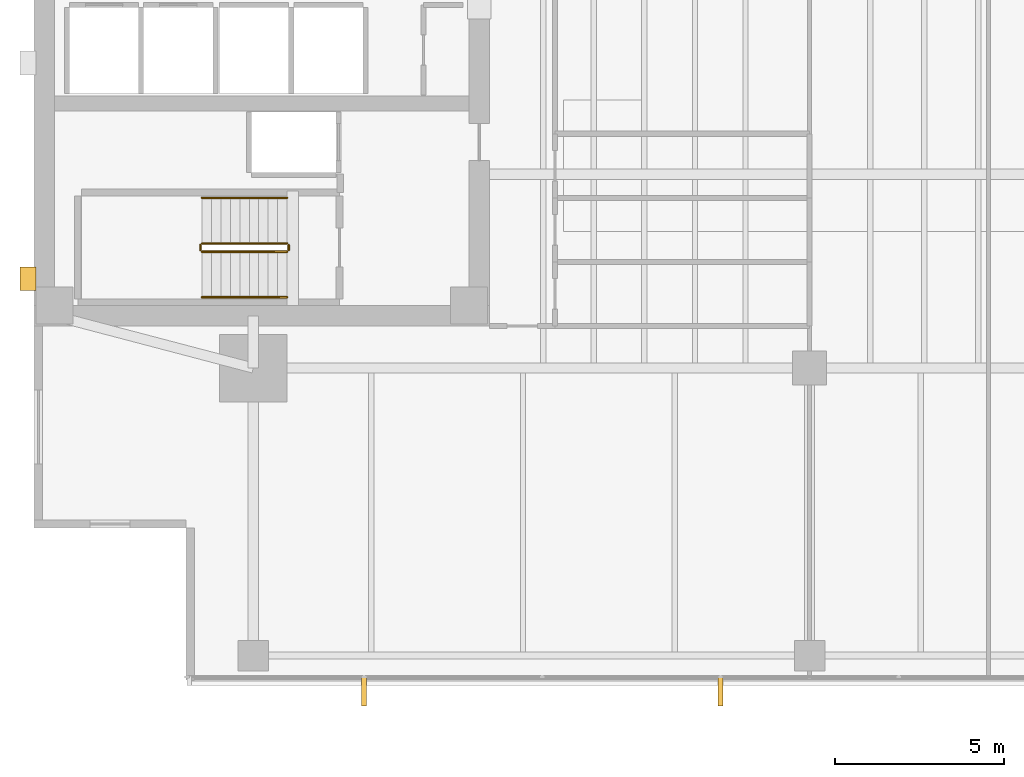
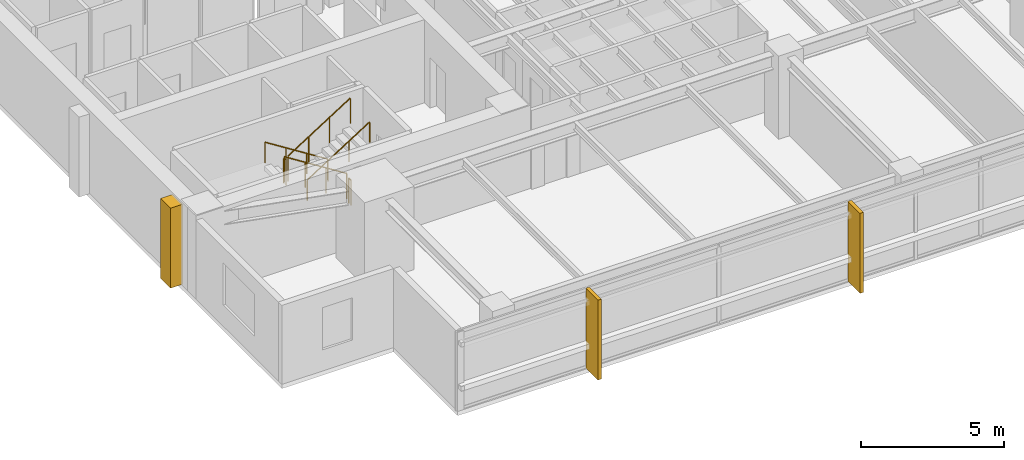
# One storey, part 11 of 14: 6 railings, 3 coverings.
"""IFC4 building model written with IfcOpenShell, lengths in metres."""

from ifc_helpers import new_model, si_unit, direction, frame, origin, origin_2d, place, context, subcontext, project, spatial, polyline, circle, outline, extrude, material, layer, layer_set, type_object, element, save


model = new_model("IFC4")

# Units and contexts
model_context = context("Model", 3, precision=1e-05, world=origin(), true_north=direction((0.0, 1.0)))
body_context = subcontext(model_context, "Body", "Model", "MODEL_VIEW")
ifc_project = project(units=[si_unit("LENGTHUNIT", "METRE"), si_unit("AREAUNIT", "SQUARE_METRE"), si_unit("VOLUMEUNIT", "CUBIC_METRE"), si_unit("PLANEANGLEUNIT", "RADIAN"), si_unit("MASSUNIT", "GRAM", prefix="KILO")], contexts=[model_context])

# Site, building, storey
site_placement = place(None, origin())
site = spatial("IfcSite", under=ifc_project, at=site_placement, CompositionType="ELEMENT")
building_placement = place(site_placement, origin())
building = spatial("IfcBuilding", under=site, at=building_placement, Name="Kinhvarn Gate Tower", CompositionType="ELEMENT")
storey_placement = place(building_placement, frame((0.0, 0.0, 123.550048828125)))
storey = spatial("IfcBuildingStorey", under=building, at=storey_placement, Name="L32", CompositionType="ELEMENT", Elevation=123.550048828125)

# Coverings
ifc_material_1 = material(Name="Fired architectural terracotta", Category="masonry")
ifc_layer_1 = layer(ifc_material_1, 0.139892578125)
ifc_layer_set_1 = layer_set([ifc_layer_1], Name="Fired architectural terracotta")
covering_type_1 = type_object("IfcCoveringType", Name="COV-FIN-850", PredefinedType="CLADDING", material=ifc_layer_set_1)
covering_1_placement = place(storey_placement, frame((0.0, 0.0, -0.02001953125)))
element("IfcCovering", 1, at=covering_1_placement, inside=storey, type_object=covering_type_1, Name="Vertical Terracotta Expressive Fin TFN-850 (L32)", PredefinedType="CLADDING", context=body_context, shape_type="SweptSolid", body=[
    extrude(outline(polyline([(14.2158203125, 3.580078125), (14.355712890625, 3.580078125), (14.355712890625, 2.72998046875), (14.2158203125, 2.72998046875), (14.2158203125, 3.580078125)])), origin(), (0.0, 0.0, 1.0), 3.409912109375),
])
covering_2_placement = place(storey_placement, frame((0.0, 0.0, -0.02001953125)))
element("IfcCovering", 2, at=covering_2_placement, inside=storey, type_object=covering_type_1, Name="Vertical Terracotta Expressive Fin TFN-850 (L32)", PredefinedType="CLADDING", context=body_context, shape_type="SweptSolid", body=[
    extrude(outline(polyline([(24.787109375, 3.580078125), (24.927001953125, 3.580078125), (24.927001953125, 2.72998046875), (24.787109375, 2.72998046875), (24.787109375, 3.580078125)])), origin(), (0.0, 0.0, 1.0), 3.409912109375),
])
ifc_material_2 = material(Name="Precast white architectural concrete C40/50", Category="concrete")
ifc_layer_2 = layer(ifc_material_2, 0.47998046875)
ifc_layer_set_2 = layer_set([ifc_layer_2], Name="Precast white architectural concrete C40/50")
covering_type_2 = type_object("IfcCoveringType", Name="COV-RIB-450", PredefinedType="CLADDING", material=ifc_layer_set_2)
covering_3_placement = place(storey_placement, frame((0.0, 0.0, -0.02001953125)))
element("IfcCovering", 3, at=covering_3_placement, inside=storey, type_object=covering_type_2, Name="West Core Sculptural Concrete Relief Rib CRB-450 (L32)", PredefinedType="CLADDING", context=body_context, shape_type="SweptSolid", body=[
    extrude(outline(polyline([(4.080078125, 15.050048828125), (4.56005859375, 15.050048828125), (4.56005859375, 15.75), (4.080078125, 15.75), (4.080078125, 15.050048828125)])), origin(), (0.0, 0.0, 1.0), 3.409912109375),
])

# Railings
ifc_material_3 = material(Name="Steel S355", Category="steel")
railing_type_1 = type_object("IfcRailingType", Name="RL-ST-GRD", PredefinedType="BALUSTRADE", material=ifc_material_3)
railing_1_placement = place(storey_placement, frame((12.0, 16.449951171875, 0.177490234375)))
element("IfcRailing", 4, at=railing_1_placement, inside=storey, type_object=railing_type_1, Name="L32 ST1 stair guard 1", PredefinedType="BALUSTRADE", context=body_context, shape_type="SweptSolid", body=[
    extrude(circle(Radius=0.02392578125, at=origin_2d()), frame((0.0, 0.0, 1.076171875), z_axis=(-0.84460694969, 0.0, 0.535386869969), x_axis=(0.0, -1.0, 0.0)), (0.0, 0.0, 1.0), 2.983642578125),
    extrude(circle(Radius=0.02099609375, at=origin_2d()), origin(), (0.0, 0.0, 1.0), 1.052001953125),
    extrude(circle(Radius=0.02099609375, at=origin_2d()), frame((-0.840087890625, 0.0, 0.532470703125)), (0.0, 0.0, 1.0), 1.052001953125),
    extrude(circle(Radius=0.02099609375, at=origin_2d()), frame((-1.679931640625, 0.0, 1.06494140625)), (0.0, 0.0, 1.0), 1.052001953125),
    extrude(circle(Radius=0.02099609375, at=origin_2d()), frame((-2.52001953125, 0.0, 1.597412109375)), (0.0, 0.0, 1.0), 1.052001953125),
])
railing_2_placement = place(storey_placement, frame((9.429931640625, 16.39990234375, 1.77490234375)))
element("IfcRailing", 5, at=railing_2_placement, inside=storey, type_object=railing_type_1, Name="L32 ST1 stair guard 2", PredefinedType="BALUSTRADE", context=body_context, shape_type="SweptSolid", body=[
    extrude(circle(Radius=0.02392578125, at=origin_2d()), frame((0.0, 0.0, 1.076171875), z_axis=(0.0, -1.0, 0.0), x_axis=(1.0, 0.0, 0.0)), (0.0, 0.0, 1.0), 0.14990234375),
    extrude(circle(Radius=0.02099609375, at=origin_2d()), origin(), (0.0, 0.0, 1.0), 1.052001953125),
    extrude(circle(Radius=0.02099609375, at=origin_2d()), frame((0.0, -0.14990234375, 0.0)), (0.0, 0.0, 1.0), 1.052001953125),
])
railing_3_placement = place(storey_placement, frame((9.47998046875, 16.199951171875, 1.952392578125)))
element("IfcRailing", 6, at=railing_3_placement, inside=storey, type_object=railing_type_1, Name="L32 ST1 stair guard 3", PredefinedType="BALUSTRADE", context=body_context, shape_type="SweptSolid", body=[
    extrude(circle(Radius=0.02392578125, at=origin_2d()), frame((0.0, 0.0, 1.076171875), z_axis=(0.84456994832, 0.0, 0.535445237532), x_axis=(0.0, 1.0, 0.0)), (0.0, 0.0, 1.0), 2.98388671875),
    extrude(circle(Radius=0.02099609375, at=origin_2d()), origin(), (0.0, 0.0, 1.0), 1.052001953125),
    extrude(circle(Radius=0.02099609375, at=origin_2d()), frame((0.840087890625, 0.0, 0.532470703125)), (0.0, 0.0, 1.0), 1.052001953125),
    extrude(circle(Radius=0.02099609375, at=origin_2d()), frame((1.679931640625, 0.0, 1.065185546875)), (0.0, 0.0, 1.0), 1.052001953125),
    extrude(circle(Radius=0.02099609375, at=origin_2d()), frame((2.52001953125, 0.0, 1.59765625)), (0.0, 0.0, 1.0), 1.052001953125),
])
railing_4_placement = place(storey_placement, frame((12.050048828125, 16.39990234375, 0.0)))
element("IfcRailing", 7, at=railing_4_placement, inside=storey, type_object=railing_type_1, Name="L32 ST1 stair guard 4", PredefinedType="BALUSTRADE", context=body_context, shape_type="SweptSolid", body=[
    extrude(circle(Radius=0.02392578125, at=origin_2d()), frame((0.0, 0.0, 1.076171875), z_axis=(0.0, -1.0, 0.0), x_axis=(1.0, 0.0, 0.0)), (0.0, 0.0, 1.0), 0.14990234375),
    extrude(circle(Radius=0.02099609375, at=origin_2d()), origin(), (0.0, 0.0, 1.0), 1.052001953125),
    extrude(circle(Radius=0.02099609375, at=origin_2d()), frame((0.0, -0.14990234375, 0.0)), (0.0, 0.0, 1.0), 1.052001953125),
])
railing_type_2 = type_object("IfcRailingType", Name="RL-ST-HND", PredefinedType="HANDRAIL", material=ifc_material_3)
railing_5_placement = place(storey_placement, frame((12.0, 17.800048828125, 0.177490234375)))
element("IfcRailing", 8, at=railing_5_placement, inside=storey, type_object=railing_type_2, Name="L32 ST1 stair handrail 1", PredefinedType="HANDRAIL", context=body_context, shape_type="SweptSolid", body=[
    extrude(circle(Radius=0.02392578125, at=origin_2d()), frame((0.0, 0.0, 0.8759765625), z_axis=(-0.84460694969, 0.0, 0.535386869969), x_axis=(0.0, -1.0, 0.0)), (0.0, 0.0, 1.0), 2.983642578125),
    extrude(circle(Radius=0.02099609375, at=origin_2d()), origin(), (0.0, 0.0, 1.0), 0.851806640625),
    extrude(circle(Radius=0.02099609375, at=origin_2d()), frame((-0.840087890625, 0.0, 0.532470703125)), (0.0, 0.0, 1.0), 0.851806640625),
    extrude(circle(Radius=0.02099609375, at=origin_2d()), frame((-1.679931640625, 0.0, 1.06494140625)), (0.0, 0.0, 1.0), 0.851806640625),
    extrude(circle(Radius=0.02099609375, at=origin_2d()), frame((-2.52001953125, 0.0, 1.597412109375)), (0.0, 0.0, 1.0), 0.851806640625),
])
railing_6_placement = place(storey_placement, frame((9.47998046875, 14.85009765625, 1.952392578125)))
element("IfcRailing", 9, at=railing_6_placement, inside=storey, type_object=railing_type_2, Name="L32 ST1 stair handrail 2", PredefinedType="HANDRAIL", context=body_context, shape_type="SweptSolid", body=[
    extrude(circle(Radius=0.02392578125, at=origin_2d()), frame((0.0, 0.0, 0.8759765625), z_axis=(0.84456994832, 0.0, 0.535445237532), x_axis=(0.0, 1.0, 0.0)), (0.0, 0.0, 1.0), 2.98388671875),
    extrude(circle(Radius=0.02099609375, at=origin_2d()), origin(), (0.0, 0.0, 1.0), 0.851806640625),
    extrude(circle(Radius=0.02099609375, at=origin_2d()), frame((0.840087890625, 0.0, 0.532470703125)), (0.0, 0.0, 1.0), 0.851806640625),
    extrude(circle(Radius=0.02099609375, at=origin_2d()), frame((1.679931640625, 0.0, 1.065185546875)), (0.0, 0.0, 1.0), 0.851806640625),
    extrude(circle(Radius=0.02099609375, at=origin_2d()), frame((2.52001953125, 0.0, 1.59765625)), (0.0, 0.0, 1.0), 0.851806640625),
])

save(model, "model.ifc")
